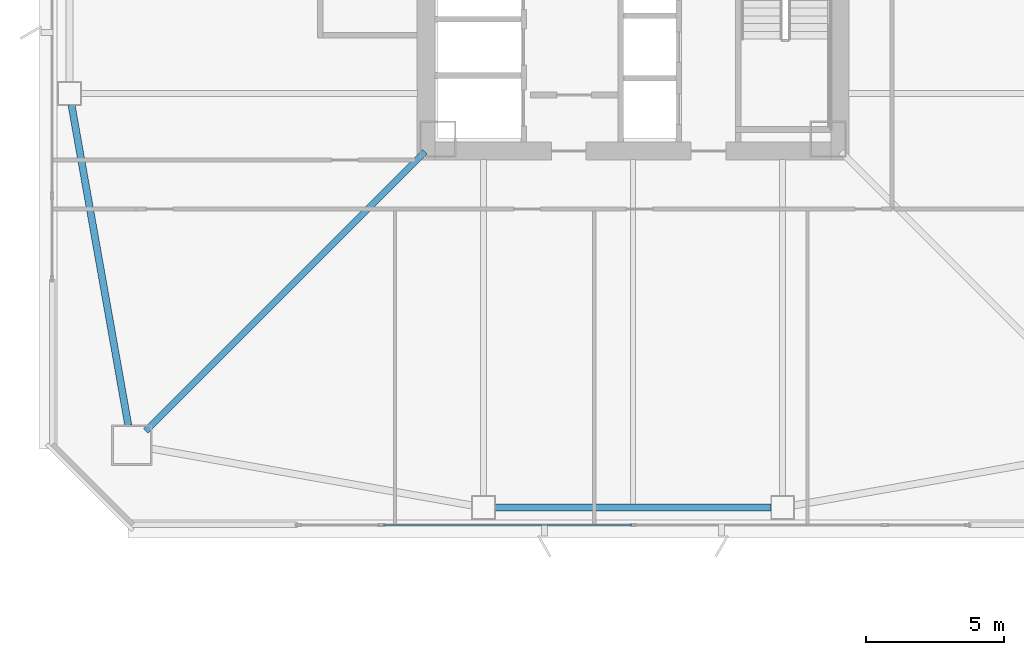
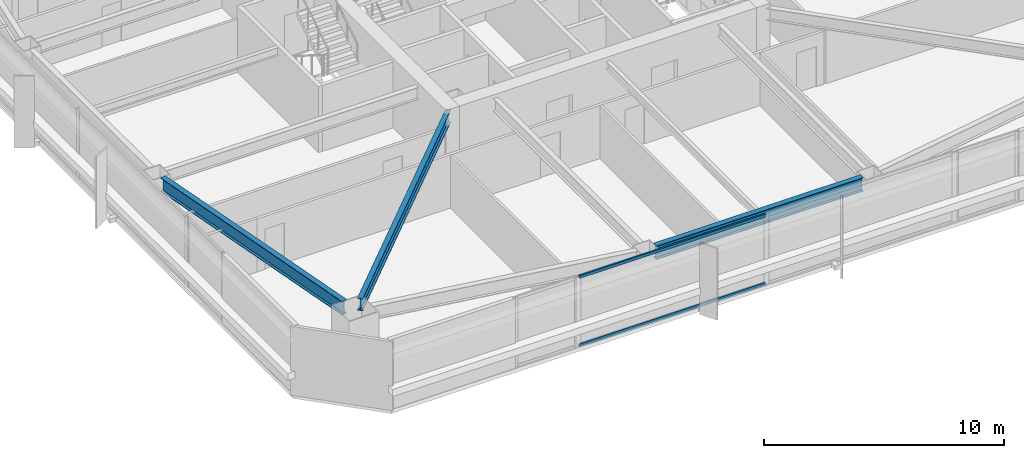
# One storey, part 4 of 49: 3 beams, 2 members, 1 element without a shape of its own.
"""IFC4 building model written with IfcOpenShell, lengths in metres."""

from ifc_helpers import new_model, si_unit, direction, frame, origin, origin_2d, place, context, subcontext, project, spatial, hollow_rectangle, i_section, extrude, material, material_profile, profile_set, type_object, element, aggregate, save


model = new_model("IFC4")

# Units and contexts
model_context = context("Model", 3, precision=1e-05, world=origin(), true_north=direction((0.0, 1.0)))
body_context = subcontext(model_context, "Body", "Model", "MODEL_VIEW")
ifc_project = project(units=[si_unit("LENGTHUNIT", "METRE"), si_unit("AREAUNIT", "SQUARE_METRE"), si_unit("VOLUMEUNIT", "CUBIC_METRE"), si_unit("PLANEANGLEUNIT", "RADIAN"), si_unit("MASSUNIT", "GRAM", prefix="KILO")], contexts=[model_context])

# Site, building, storey
site_placement = place(None, origin())
site = spatial("IfcSite", under=ifc_project, at=site_placement, CompositionType="ELEMENT")
building_placement = place(site_placement, origin())
building = spatial("IfcBuilding", under=site, at=building_placement, Name="Tashvorn Skyway Center", CompositionType="ELEMENT")
storey_placement = place(building_placement, frame((0.0, 0.0, 70.75)))
storey = spatial("IfcBuildingStorey", under=building, at=storey_placement, Name="L18", CompositionType="ELEMENT", Elevation=70.75)

# Beams
ifc_material_1 = material(Name="Steel ASTM A992 Grade 50", Category="steel")
ifc_material_profile_1 = material_profile(ifc_material_1, i_section(OverallWidth=0.22998046875, OverallDepth=0.616943359375, WebThickness=0.01318359375, FlangeThickness=0.022216796875, at=origin_2d()), Name="W24X94")
ifc_profile_set_1 = profile_set([ifc_material_profile_1], Name="Steel ASTM A992 Grade 50")
beam_type_1 = type_object("IfcBeamType", Name="BM-BEAM-W24X94", PredefinedType="BEAM", material=ifc_profile_set_1)
beam_1_placement = place(storey_placement, frame((24.4091796875, 14.4091796875, 3.04150390625), z_axis=(0.707106781187, 0.707106781187, 0.0), x_axis=(-0.707106781187, 0.707106781187, 0.0)))
element("IfcBeam", 1, at=beam_1_placement, inside=storey, type_object=beam_type_1, Name="Tower 1 L18 Primary Floor Girder MC-SW", PredefinedType="BEAM", context=body_context, shape_type="SweptSolid", body=[
    extrude(i_section(OverallWidth=0.22998046875, OverallDepth=0.616943359375, WebThickness=0.01318359375, FlangeThickness=0.022216796875, at=origin_2d()), origin(), (0.0, 0.0, 1.0), 14.261962890625),
])
ifc_material_profile_2 = material_profile(ifc_material_1, i_section(OverallWidth=0.256103515625, OverallDepth=0.693115234375, WebThickness=0.014404296875, FlangeThickness=0.023681640625, at=origin_2d()), Name="W27X114")
ifc_profile_set_2 = profile_set([ifc_material_profile_2], Name="Steel ASTM A992 Grade 50")
beam_type_2 = type_object("IfcBeamType", Name="BM-SPANDREL-W27X114", PredefinedType="SPANDREL", material=ifc_profile_set_2)
beam_2_placement = place(storey_placement, frame((37.02001953125, 11.64990234375, 3.00341796875), z_axis=(1.0, 0.0, 0.0), x_axis=(0.0, 1.0, 0.0)))
element("IfcBeam", 2, at=beam_2_placement, inside=storey, type_object=beam_type_2, Name="Tower 1 L18 Spandrel Beam 02", PredefinedType="SPANDREL", context=body_context, shape_type="SweptSolid", body=[
    extrude(i_section(OverallWidth=0.256103515625, OverallDepth=0.693115234375, WebThickness=0.014404296875, FlangeThickness=0.023681640625, at=origin_2d()), origin(), (0.0, 0.0, 1.0), 9.9599609375),
])
beam_3_placement = place(storey_placement, frame((21.723388671875, 26.1865234375, 3.00341796875), z_axis=(0.174437966698, -0.98466816531, 0.0), x_axis=(0.98466816531, 0.174437966698, 0.0)))
element("IfcBeam", 3, at=beam_3_placement, inside=storey, type_object=beam_type_2, Name="Tower 1 L18 Spandrel Beam 12", PredefinedType="SPANDREL", context=body_context, shape_type="SweptSolid", body=[
    extrude(i_section(OverallWidth=0.256103515625, OverallDepth=0.693115234375, WebThickness=0.014404296875, FlangeThickness=0.023681640625, at=origin_2d()), origin(), (0.0, 0.0, 1.0), 11.7578125),
])

# Curtain wall, members
ifc_material_2 = material(Name="Thermally broken bronze-anodized aluminium 6063-T6", Category="aluminium")
curtain_wall_type = type_object("IfcCurtainWallType", Name="CW-CW-Z2", PredefinedType="NOTDEFINED", material=ifc_material_2)
curtain_wall_placement = place(storey_placement, origin())
curtain_wall = element("IfcCurtainWall", 4, at=curtain_wall_placement, inside=storey, type_object=curtain_wall_type, Name="Tower 1 L18 South Unitised Curtain Wall Glazing Group 2", PredefinedType="NOTDEFINED")
ifc_material_profile_3 = material_profile(ifc_material_2, hollow_rectangle(XDim=0.080078125, YDim=0.14990234375, WallThickness=0.00439453125, at=origin_2d()), Name="ALU-TRAN-80x150")
ifc_profile_set_3 = profile_set([ifc_material_profile_3], Name="Thermally broken bronze-anodized aluminium 6063-T6")
member_type = type_object("IfcMemberType", Name="CWT-CW-Z2", PredefinedType="USERDEFINED", material=ifc_profile_set_3)
member_1_placement = place(storey_placement, frame((41.9599609375, 11.02001953125, 0.0400390625), z_axis=(-1.0, 0.0, 0.0), x_axis=(0.0, -1.0, 0.0)))
member_1 = element("IfcMember", 5, at=member_1_placement, type_object=member_type, Name="CW-Z2 transom 2.1", ObjectType="TRANSOM", PredefinedType="USERDEFINED", context=body_context, shape_type="SweptSolid", body=[
    extrude(hollow_rectangle(XDim=0.080078125, YDim=0.14990234375, WallThickness=0.00439453125, at=origin_2d()), origin(), (0.0, 0.0, 1.0), 8.969970703125),
])
member_2_placement = place(storey_placement, frame((41.9599609375, 11.02001953125, 3.510009765625), z_axis=(-1.0, 0.0, 0.0), x_axis=(0.0, -1.0, 0.0)))
member_2 = element("IfcMember", 6, at=member_2_placement, type_object=member_type, Name="CW-Z2 transom 2.2", ObjectType="TRANSOM", PredefinedType="USERDEFINED", context=body_context, shape_type="SweptSolid", body=[
    extrude(hollow_rectangle(XDim=0.080078125, YDim=0.14990234375, WallThickness=0.00439453125, at=origin_2d()), origin(), (0.0, 0.0, 1.0), 8.969970703125),
])
aggregate(curtain_wall, [member_1, member_2])

save(model, "model.ifc")
